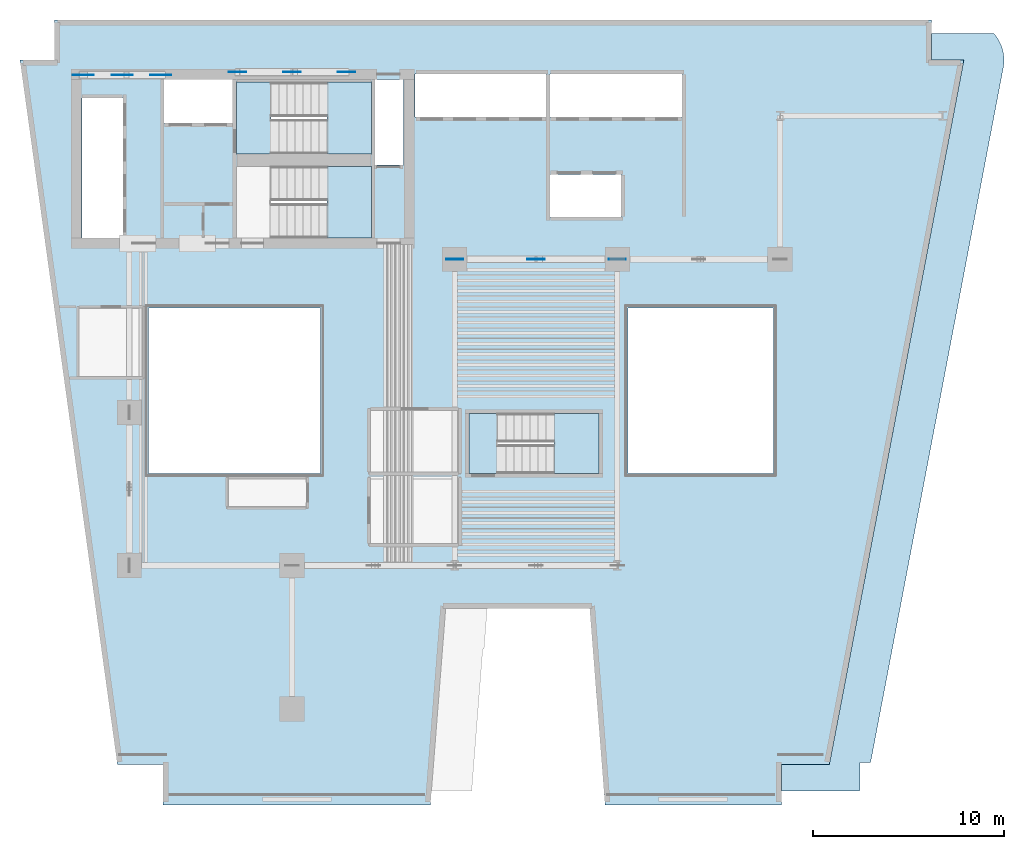
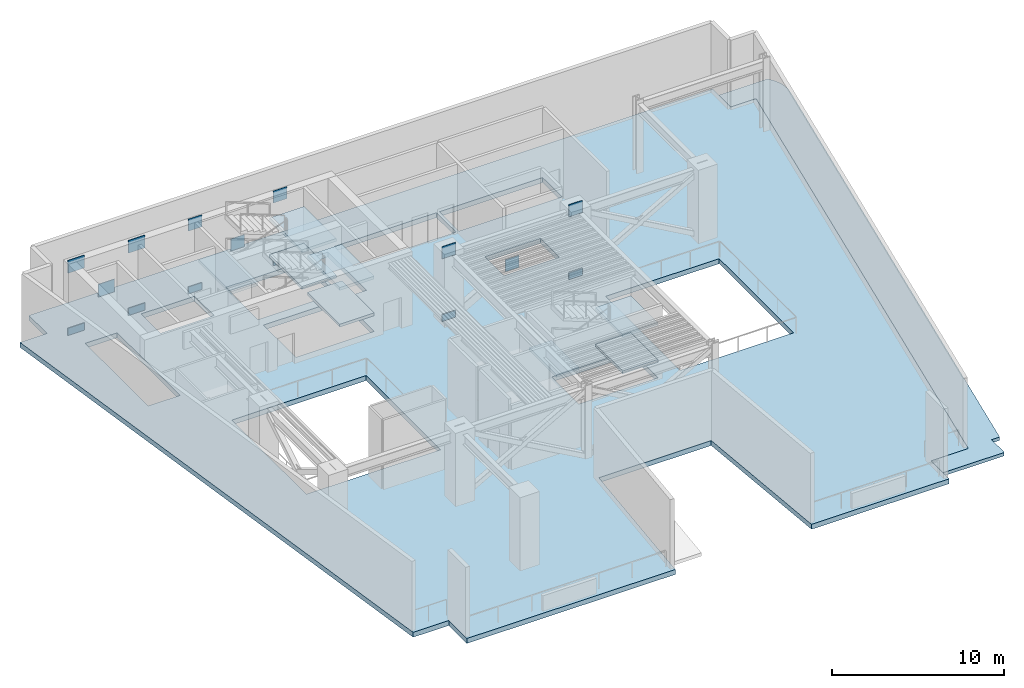
# One storey, part 2 of 8: 15 plates, 10 slabs, 3 elements without a shape of their own.
"""IFC4 building model written with IfcOpenShell, lengths in metres."""

from ifc_helpers import new_model, si_unit, direction, frame, origin, origin_2d, place, context, subcontext, project, spatial, polyline, rectangle, outline, extrude, material, layer, layer_set, type_object, element, aggregate, save


model = new_model("IFC4")

# Units and contexts
model_context = context("Model", 3, precision=1e-05, world=origin(), true_north=direction((0.0, 1.0)))
body_context = subcontext(model_context, "Body", "Model", "MODEL_VIEW")
ifc_project = project(units=[si_unit("LENGTHUNIT", "METRE"), si_unit("AREAUNIT", "SQUARE_METRE"), si_unit("VOLUMEUNIT", "CUBIC_METRE"), si_unit("PLANEANGLEUNIT", "RADIAN"), si_unit("MASSUNIT", "GRAM", prefix="KILO")], contexts=[model_context])

# Site, building, storey
site_placement = place(None, origin())
site = spatial("IfcSite", under=ifc_project, at=site_placement, CompositionType="ELEMENT")
building_placement = place(site_placement, origin())
building = spatial("IfcBuilding", under=site, at=building_placement, Name="Caeloran Harvest Quay", CompositionType="ELEMENT")
storey_placement = place(building_placement, frame((0.0, 0.0, 106.199951171875)))
storey = spatial("IfcBuildingStorey", under=building, at=storey_placement, Name="L24", CompositionType="ELEMENT", Elevation=106.199951171875)

# Plates
ifc_material_1 = material(Name="Steel HISTAR 460", Category="steel")
ifc_layer_1 = layer(ifc_material_1, 0.044921875, Name="Steel HISTAR 460")
ifc_layer_set_1 = layer_set([ifc_layer_1], Name="Steel HISTAR 460")
plate_type_1 = type_object("IfcPlateType", Name="PLT-ON1-45MM", PredefinedType="SHEET", material=ifc_layer_set_1)
for number, where, z_axis, x_axis, name in (
    (1, (6.10009765625, 40.625, -0.389892578125), (0.0, 0.0, 1.0), (1.0, 0.0, 0.0), "L24 Outrigger Node Gusset and End Cap Plate N-CORE1 A-BOT"),
    (2, (6.10009765625, 40.625, 4.41015625), (0.0, 0.0, 1.0), (1.0, 0.0, 0.0), "L24 Outrigger Node Gusset and End Cap Plate N-CORE1 A-TOP"),
    (3, (8.125, 40.625, 2.010009765625), (0.0, 0.0, 1.0), (1.0, 0.0, 0.0), "L24 Outrigger Node Gusset and End Cap Plate N-CORE1 XMID"),
    (4, (10.14990234375, 40.625, 4.41015625), (0.0, 0.0, 1.0), (1.0, 0.0, 0.0), "L24 Outrigger Node Gusset and End Cap Plate N-CORE1 B-TOP"),
    (5, (10.14990234375, 40.625, -0.389892578125), (0.0, 0.0, 1.0), (1.0, 0.0, 0.0), "L24 Outrigger Node Gusset and End Cap Plate N-CORE1 B-BOT"),
):
    element("IfcPlate", number, at=place(storey_placement, frame(where, z_axis=z_axis, x_axis=x_axis)), inside=storey, type_object=plate_type_1, Name=name, PredefinedType="SHEET", context=body_context, shape_type="SweptSolid", body=[
        extrude(rectangle(XDim=1.10009765625, YDim=0.044921875, at=origin_2d()), origin(), (0.0, 0.0, 1.0), 0.89990234375),
    ])
ifc_layer_2 = layer(ifc_material_1, 0.0380859375, Name="Steel HISTAR 460")
ifc_layer_set_2 = layer_set([ifc_layer_2], Name="Steel HISTAR 460")
plate_type_2 = type_object("IfcPlateType", Name="PLT-ON2-38MM", PredefinedType="SHEET", material=ifc_layer_set_2)
for number, where, z_axis, x_axis, name in (
    (6, (14.14990234375, 40.780029296875, -0.364990234375), (0.0, 0.0, 1.0), (1.0, 0.0, 0.0), "L24 Outrigger Node Gusset and End Cap Plate N-CORE2 A-BOT"),
    (7, (14.14990234375, 40.780029296875, 4.43505859375), (0.0, 0.0, 1.0), (1.0, 0.0, 0.0), "L24 Outrigger Node Gusset and End Cap Plate N-CORE2 A-TOP"),
    (8, (17.0, 40.780029296875, 2.034912109375), (0.0, 0.0, 1.0), (1.0, 0.0, 0.0), "L24 Outrigger Node Gusset and End Cap Plate N-CORE2 XMID"),
    (9, (19.85009765625, 40.780029296875, 4.43505859375), (0.0, 0.0, 1.0), (1.0, 0.0, 0.0), "L24 Outrigger Node Gusset and End Cap Plate N-CORE2 B-TOP"),
    (10, (19.85009765625, 40.780029296875, -0.364990234375), (0.0, 0.0, 1.0), (1.0, 0.0, 0.0), "L24 Outrigger Node Gusset and End Cap Plate N-CORE2 B-BOT"),
    (11, (25.5, 31.0, -0.364990234375), (0.0, 0.0, 1.0), (1.0, 0.0, 0.0), "L24 Outrigger Node Gusset and End Cap Plate N-CORE3 A-BOT"),
    (12, (25.5, 31.0, 4.43505859375), (0.0, 0.0, 1.0), (1.0, 0.0, 0.0), "L24 Outrigger Node Gusset and End Cap Plate N-CORE3 A-TOP"),
    (13, (29.75, 31.0, 2.034912109375), (0.0, 0.0, 1.0), (1.0, 0.0, 0.0), "L24 Outrigger Node Gusset and End Cap Plate N-CORE3 XMID"),
    (14, (34.0, 31.0, 4.43505859375), (0.0, 0.0, 1.0), (1.0, 0.0, 0.0), "L24 Outrigger Node Gusset and End Cap Plate N-CORE3 B-TOP"),
    (15, (34.0, 31.0, -0.364990234375), (0.0, 0.0, 1.0), (1.0, 0.0, 0.0), "L24 Outrigger Node Gusset and End Cap Plate N-CORE3 B-BOT"),
):
    element("IfcPlate", number, at=place(storey_placement, frame(where, z_axis=z_axis, x_axis=x_axis)), inside=storey, type_object=plate_type_2, Name=name, PredefinedType="SHEET", context=body_context, shape_type="SweptSolid", body=[
        extrude(rectangle(XDim=0.89990234375, YDim=0.0380859375, at=origin_2d()), origin(), (0.0, 0.0, 1.0), 0.85009765625),
    ])

# Slabs
ifc_material_2 = material(Name="Concrete C50/60", Category="concrete")
ifc_layer_3 = layer(ifc_material_2, 0.35009765625, Name="Concrete C50/60")
ifc_layer_set_3 = layer_set([ifc_layer_3], Name="Concrete C50/60")
slab_type_1 = type_object("IfcSlabType", Name="SLAB-FS-350", PredefinedType="FLOOR", material=ifc_layer_set_3)
slab_1_placement = place(storey_placement, frame((0.0, 0.0, -0.349853515625)))
element("IfcSlab", 16, at=slab_1_placement, inside=storey, type_object=slab_type_1, Name="L24 Structural Floor Slab", PredefinedType="FLOOR", context=body_context, shape_type="SweptSolid", body=[
    extrude(outline(polyline([(10.27001953125, 2.5), (24.22998046875, 2.5), (25.030029296875, 12.75), (32.554931640625, 12.75), (33.35498046875, 2.5), (42.570068359375, 2.5), (42.570068359375, 4.60009765625), (45.071044921875, 4.60009765625), (52.09912109375, 41.39990234375), (50.39990234375, 41.39990234375), (50.39990234375, 43.5), (4.60009765625, 43.5), (4.60009765625, 41.39990234375), (2.790283203125, 41.39990234375), (7.879638671875, 4.60009765625), (10.27001953125, 4.60009765625), (10.27001953125, 2.5)]), holes=[polyline([(18.5, 19.800048828125), (9.5, 19.800048828125), (9.5, 28.449951171875), (18.5, 28.449951171875), (18.5, 19.800048828125)]), polyline([(15.89990234375, 32.10009765625), (15.89990234375, 35.85009765625), (21.14990234375, 35.85009765625), (21.14990234375, 32.10009765625), (15.89990234375, 32.10009765625)]), polyline([(8.159912109375, 32.1201171875), (6.02001953125, 32.1201171875), (6.02001953125, 39.419921875), (8.159912109375, 39.419921875), (8.159912109375, 32.1201171875)]), polyline([(21.35009765625, 35.919921875), (21.35009765625, 40.3798828125), (22.830078125, 40.3798828125), (22.830078125, 35.919921875), (21.35009765625, 35.919921875)]), polyline([(15.89990234375, 40.25), (21.14990234375, 40.25), (21.14990234375, 36.5), (15.89990234375, 36.5), (15.89990234375, 40.25)]), polyline([(13.89990234375, 38.1201171875), (10.320068359375, 38.1201171875), (10.320068359375, 40.3798828125), (13.89990234375, 40.3798828125), (13.89990234375, 38.1201171875)]), polyline([(27.75, 22.949951171875), (33.050048828125, 22.949951171875), (33.050048828125, 19.800048828125), (27.75, 19.800048828125), (27.75, 22.949951171875)]), polyline([(34.550048828125, 19.800048828125), (34.550048828125, 28.449951171875), (42.14990234375, 28.449951171875), (42.14990234375, 19.800048828125), (34.550048828125, 19.800048828125)]), polyline([(34.199951171875, 33.219970703125), (30.47998046875, 33.219970703125), (30.47998046875, 35.429931640625), (34.199951171875, 35.429931640625), (34.199951171875, 33.219970703125)]), polyline([(23.419921875, 38.419921875), (23.419921875, 40.679931640625), (30.280029296875, 40.679931640625), (30.280029296875, 38.419921875), (23.419921875, 38.419921875)]), polyline([(30.47998046875, 38.419921875), (30.47998046875, 40.679931640625), (37.3798828125, 40.679931640625), (37.3798828125, 38.419921875), (30.47998046875, 38.419921875)])]), origin(), (0.0, 0.0, 1.0), 0.349853515625),
])
ifc_layer_4 = layer(ifc_material_2, 0.239990234375, Name="Concrete C50/60")
ifc_layer_set_4 = layer_set([ifc_layer_4], Name="Concrete C50/60")
slab_type_2 = type_object("IfcSlabType", Name="SLAB-TR-240", PredefinedType="ROOF", material=ifc_layer_set_4)
slab_2_placement = place(storey_placement, frame((0.0, 0.0, -0.239990234375)))
element("IfcSlab", 17, at=slab_2_placement, inside=storey, type_object=slab_type_2, Name="L24 Step-Back Roof Slab 2", PredefinedType="ROOF", context=body_context, shape_type="SweptSolid", body=[
    extrude(outline(polyline([(53.71728515625, 42.73828125), (53.840087890625, 42.57421875), (53.9462890625, 42.398681640625), (54.034912109375, 42.21337890625), (54.105224609375, 42.020751953125), (54.15625, 41.822021484375), (54.1875, 41.619140625), (54.198974609375, 41.414306640625), (54.190185546875, 41.209228515625), (54.16162109375, 41.006103515625), (47.22802734375, 4.699951171875), (46.68701171875, 4.699951171875), (46.68701171875, 3.26025390625), (46.641845703125, 3.2099609375), (42.570068359375, 3.2099609375), (42.570068359375, 4.60009765625), (45.071044921875, 4.60009765625), (52.09912109375, 41.39990234375), (50.39990234375, 41.39990234375), (50.39990234375, 42.7900390625), (53.670166015625, 42.7900390625), (53.71728515625, 42.73828125)])), origin(), (0.0, 0.0, 1.0), 0.239990234375),
])

# Stair, slabs
stair_type_1 = type_object("IfcStairType", Name="STAIR-STC-180", PredefinedType="HALF_TURN_STAIR", material=ifc_material_2)
stair_1_placement = place(storey_placement, origin())
stair_1 = element("IfcStair", 18, at=stair_1_placement, inside=storey, type_object=stair_type_1, Name="L24 Core Pressurized Exit Stair ST-C1", PredefinedType="HALF_TURN_STAIR")
ifc_layer_5 = layer(ifc_material_2, 0.219970703125, Name="Concrete C50/60")
ifc_layer_set_5 = layer_set([ifc_layer_5], Name="Concrete C50/60")
slab_type_3 = type_object("IfcSlabType", Name="STAIR-LANDING-220", PredefinedType="LANDING", material=ifc_layer_set_5)
slab_3_placement = place(storey_placement, frame((0.0, 0.0, 1.10009765625)))
slab_3 = element("IfcSlab", 19, at=slab_3_placement, type_object=slab_type_3, Name="ST-C1 landing 1", PredefinedType="LANDING", context=body_context, shape_type="SweptSolid", body=[
    extrude(outline(polyline([(18.840087890625, 36.5), (21.14990234375, 36.5), (21.14990234375, 40.25), (18.840087890625, 40.25), (18.840087890625, 36.5)])), origin(), (0.0, 0.0, 1.0), 0.199951171875),
])
slab_4_placement = place(storey_placement, frame((0.0, 0.0, 2.400146484375)))
slab_4 = element("IfcSlab", 20, at=slab_4_placement, type_object=slab_type_3, Name="ST-C1 landing 2", PredefinedType="LANDING", context=body_context, shape_type="SweptSolid", body=[
    extrude(outline(polyline([(14.10009765625, 36.5), (15.89990234375, 36.5), (15.89990234375, 40.25), (14.10009765625, 40.25), (14.10009765625, 36.5)])), origin(), (0.0, 0.0, 1.0), 0.199951171875),
])
slab_5_placement = place(storey_placement, frame((0.0, 0.0, 3.699951171875)))
slab_5 = element("IfcSlab", 21, at=slab_5_placement, type_object=slab_type_3, Name="ST-C1 landing 3", PredefinedType="LANDING", context=body_context, shape_type="SweptSolid", body=[
    extrude(outline(polyline([(18.840087890625, 36.5), (21.14990234375, 36.5), (21.14990234375, 40.25), (18.840087890625, 40.25), (18.840087890625, 36.5)])), origin(), (0.0, 0.0, 1.0), 0.2001953125),
])
aggregate(stair_1, [slab_3, slab_4, slab_5])

stair_2_placement = place(storey_placement, origin())
stair_2 = element("IfcStair", 22, at=stair_2_placement, inside=storey, type_object=stair_type_1, Name="L24 Core Pressurized Exit Stair ST-C2", PredefinedType="HALF_TURN_STAIR")
slab_6_placement = place(storey_placement, frame((0.0, 0.0, 1.10009765625)))
slab_6 = element("IfcSlab", 23, at=slab_6_placement, type_object=slab_type_3, Name="ST-C2 landing 1", PredefinedType="LANDING", context=body_context, shape_type="SweptSolid", body=[
    extrude(outline(polyline([(18.840087890625, 32.10009765625), (21.14990234375, 32.10009765625), (21.14990234375, 35.85009765625), (18.840087890625, 35.85009765625), (18.840087890625, 32.10009765625)])), origin(), (0.0, 0.0, 1.0), 0.199951171875),
])
slab_7_placement = place(storey_placement, frame((0.0, 0.0, 3.699951171875)))
slab_7 = element("IfcSlab", 24, at=slab_7_placement, type_object=slab_type_3, Name="ST-C2 landing 3", PredefinedType="LANDING", context=body_context, shape_type="SweptSolid", body=[
    extrude(outline(polyline([(18.840087890625, 32.10009765625), (21.14990234375, 32.10009765625), (21.14990234375, 35.85009765625), (18.840087890625, 35.85009765625), (18.840087890625, 32.10009765625)])), origin(), (0.0, 0.0, 1.0), 0.2001953125),
])
aggregate(stair_2, [slab_6, slab_7])

stair_type_2 = type_object("IfcStairType", Name="STAIR-STW-150", PredefinedType="HALF_TURN_STAIR", material=ifc_material_2)
stair_3_placement = place(storey_placement, origin())
stair_3 = element("IfcStair", 25, at=stair_3_placement, inside=storey, type_object=stair_type_2, Name="L24 East Wing Protected Exit Stair ST-W1", PredefinedType="HALF_TURN_STAIR")
slab_8_placement = place(storey_placement, frame((0.0, 0.0, 1.10009765625)))
slab_8 = element("IfcSlab", 26, at=slab_8_placement, type_object=slab_type_3, Name="ST-W1 landing 1", PredefinedType="LANDING", context=body_context, shape_type="SweptSolid", body=[
    extrude(outline(polyline([(30.68994140625, 19.800048828125), (33.050048828125, 19.800048828125), (33.050048828125, 22.949951171875), (30.68994140625, 22.949951171875), (30.68994140625, 19.800048828125)])), origin(), (0.0, 0.0, 1.0), 0.199951171875),
])
slab_9_placement = place(storey_placement, frame((0.0, 0.0, 2.400146484375)))
slab_9 = element("IfcSlab", 27, at=slab_9_placement, type_object=slab_type_3, Name="ST-W1 landing 2", PredefinedType="LANDING", context=body_context, shape_type="SweptSolid", body=[
    extrude(outline(polyline([(26.25, 19.800048828125), (27.75, 19.800048828125), (27.75, 22.949951171875), (26.25, 22.949951171875), (26.25, 19.800048828125)])), origin(), (0.0, 0.0, 1.0), 0.199951171875),
])
slab_10_placement = place(storey_placement, frame((0.0, 0.0, 3.699951171875)))
slab_10 = element("IfcSlab", 28, at=slab_10_placement, type_object=slab_type_3, Name="ST-W1 landing 3", PredefinedType="LANDING", context=body_context, shape_type="SweptSolid", body=[
    extrude(outline(polyline([(30.68994140625, 19.800048828125), (33.050048828125, 19.800048828125), (33.050048828125, 22.949951171875), (30.68994140625, 22.949951171875), (30.68994140625, 19.800048828125)])), origin(), (0.0, 0.0, 1.0), 0.2001953125),
])
aggregate(stair_3, [slab_8, slab_9, slab_10])

save(model, "model.ifc")
